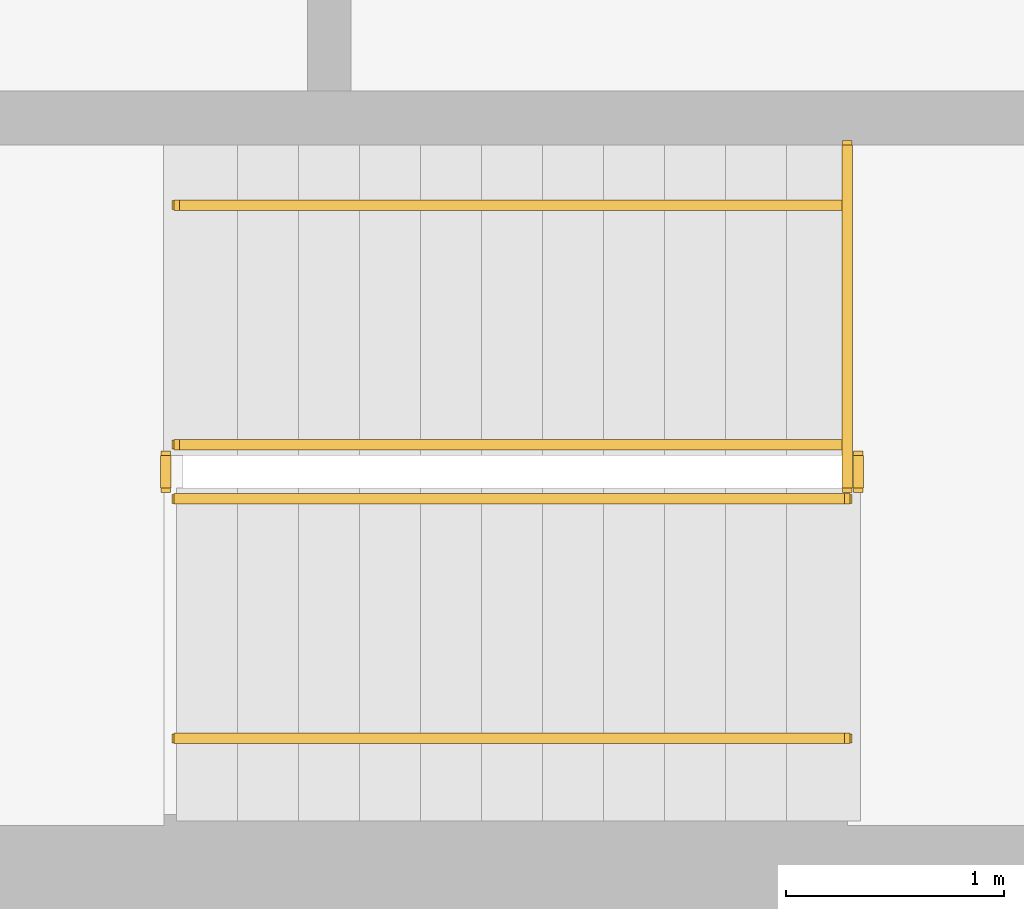
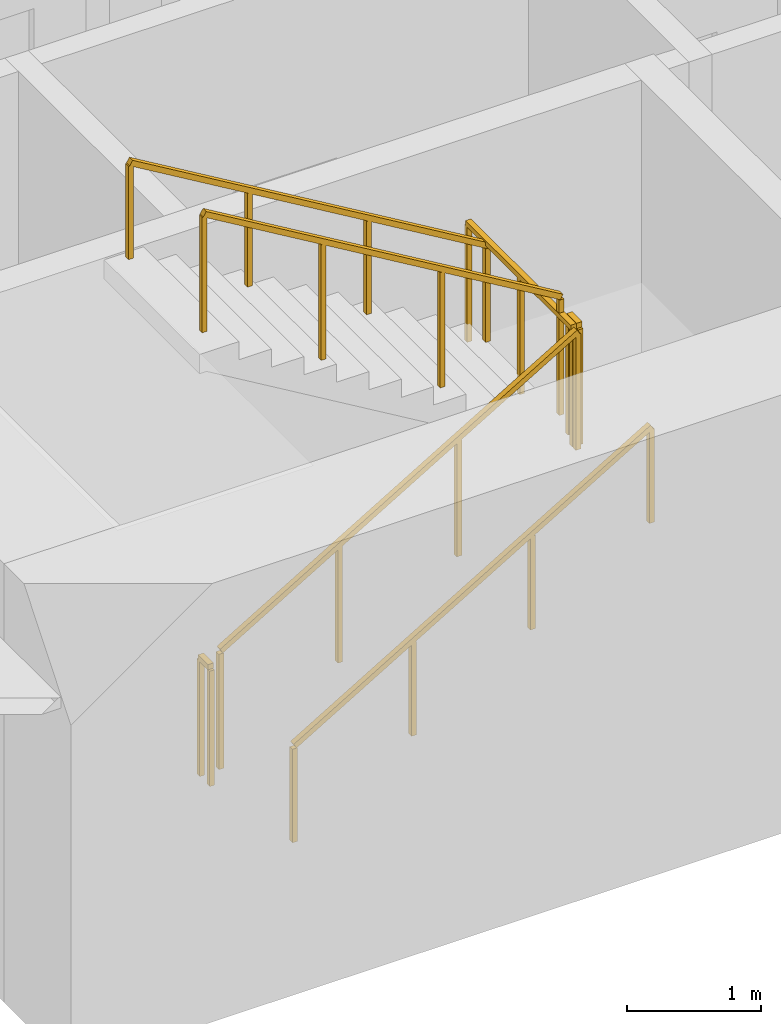
# One storey, part 13 of 16: 7 railings.
"""IFC4 building model written with IfcOpenShell, lengths in metres."""

from ifc_helpers import new_model, si_unit, direction, frame, origin, origin_2d, place, context, subcontext, project, spatial, rectangle, extrude, material, type_object, element, save


model = new_model("IFC4")

# Units and contexts
model_context = context("Model", 3, precision=1e-05, world=origin(), true_north=direction((0.0, 1.0)))
body_context = subcontext(model_context, "Body", "Model", "MODEL_VIEW")
ifc_project = project(units=[si_unit("LENGTHUNIT", "METRE"), si_unit("AREAUNIT", "SQUARE_METRE"), si_unit("VOLUMEUNIT", "CUBIC_METRE"), si_unit("PLANEANGLEUNIT", "RADIAN"), si_unit("MASSUNIT", "GRAM", prefix="KILO")], contexts=[model_context])

# Site, building, storey
site_placement = place(None, origin())
site = spatial("IfcSite", under=ifc_project, at=site_placement, CompositionType="ELEMENT")
building_placement = place(site_placement, origin())
building = spatial("IfcBuilding", under=site, at=building_placement, Name="Sennacour Bend Tower", CompositionType="ELEMENT")
storey_placement = place(building_placement, frame((0.0, 0.0, 167.0)))
storey = spatial("IfcBuildingStorey", under=building, at=storey_placement, Name="L38", CompositionType="ELEMENT", Elevation=167.0)

# Railings
ifc_material = material(Name="Stainless steel", Category="steel")
railing_type_1 = type_object("IfcRailingType", Name="RL-GUARD-1100", PredefinedType="GUARDRAIL", material=ifc_material)
railing_1_placement = place(storey_placement, frame((56.699951171875, 2.449951171875, 0.166748046875)))
element("IfcRailing", 1, at=railing_1_placement, inside=storey, type_object=railing_type_1, Name="L38 SA1 stair guard 1", PredefinedType="GUARDRAIL", context=body_context, shape_type="SweptSolid", body=[
    extrude(rectangle(XDim=0.048095703125, YDim=0.048095703125, at=origin_2d()), frame((0.0, 0.0, 1.076171875), z_axis=(0.859308565015, 0.0, 0.511457515432), x_axis=(0.0, 1.0, 0.0)), (0.0, 0.0, 1.0), 3.58447265625),
    extrude(rectangle(XDim=0.0419921875, YDim=0.0419921875, at=origin_2d()), origin(), (0.0, 0.0, 1.0), 1.052001953125),
    extrude(rectangle(XDim=0.0419921875, YDim=0.0419921875, at=origin_2d()), frame((1.026611328125, 0.0, 0.611083984375)), (0.0, 0.0, 1.0), 1.052001953125),
    extrude(rectangle(XDim=0.0419921875, YDim=0.0419921875, at=origin_2d()), frame((2.053466796875, 0.0, 1.22216796875)), (0.0, 0.0, 1.0), 1.052001953125),
    extrude(rectangle(XDim=0.0419921875, YDim=0.0419921875, at=origin_2d()), frame((3.080078125, 0.0, 1.833251953125)), (0.0, 0.0, 1.0), 1.052001953125),
])
railing_2_placement = place(storey_placement, frame((59.830078125, 2.5, 2.0)))
element("IfcRailing", 2, at=railing_2_placement, inside=storey, type_object=railing_type_1, Name="L38 SA1 stair guard 2", PredefinedType="GUARDRAIL", context=body_context, shape_type="SweptSolid", body=[
    extrude(rectangle(XDim=0.048095703125, YDim=0.048095703125, at=origin_2d()), frame((0.0, 0.0, 1.076171875), z_axis=(0.0, 1.0, 0.0), x_axis=(-1.0, 0.0, 0.0)), (0.0, 0.0, 1.0), 0.14990234375),
    extrude(rectangle(XDim=0.0419921875, YDim=0.0419921875, at=origin_2d()), origin(), (0.0, 0.0, 1.0), 1.052001953125),
    extrude(rectangle(XDim=0.0419921875, YDim=0.0419921875, at=origin_2d()), frame((0.0, 0.14990234375, 0.0)), (0.0, 0.0, 1.0), 1.052001953125),
])
railing_3_placement = place(storey_placement, frame((59.780029296875, 2.699951171875, 2.166748046875)))
element("IfcRailing", 3, at=railing_3_placement, inside=storey, type_object=railing_type_1, Name="L38 SA1 stair guard 4", PredefinedType="GUARDRAIL", context=body_context, shape_type="SweptSolid", body=[
    extrude(rectangle(XDim=0.048095703125, YDim=0.048095703125, at=origin_2d()), frame((0.0, 0.0, 1.076171875), z_axis=(-0.859308565015, 0.0, 0.511457515432), x_axis=(0.0, -1.0, 0.0)), (0.0, 0.0, 1.0), 3.58447265625),
    extrude(rectangle(XDim=0.0419921875, YDim=0.0419921875, at=origin_2d()), origin(), (0.0, 0.0, 1.0), 1.052001953125),
    extrude(rectangle(XDim=0.0419921875, YDim=0.0419921875, at=origin_2d()), frame((-1.026611328125, 0.0, 0.611083984375)), (0.0, 0.0, 1.0), 1.052001953125),
    extrude(rectangle(XDim=0.0419921875, YDim=0.0419921875, at=origin_2d()), frame((-2.053466796875, 0.0, 1.22216796875)), (0.0, 0.0, 1.0), 1.052001953125),
    extrude(rectangle(XDim=0.0419921875, YDim=0.0419921875, at=origin_2d()), frame((-3.080078125, 0.0, 1.833251953125)), (0.0, 0.0, 1.0), 1.052001953125),
])
railing_4_placement = place(storey_placement, frame((56.64990234375, 2.5, 0.0)))
element("IfcRailing", 4, at=railing_4_placement, inside=storey, type_object=railing_type_1, Name="L38 SA1 stair guard 5", PredefinedType="GUARDRAIL", context=body_context, shape_type="SweptSolid", body=[
    extrude(rectangle(XDim=0.048095703125, YDim=0.048095703125, at=origin_2d()), frame((0.0, 0.0, 1.076171875), z_axis=(0.0, 1.0, 0.0), x_axis=(-1.0, 0.0, 0.0)), (0.0, 0.0, 1.0), 0.14990234375),
    extrude(rectangle(XDim=0.0419921875, YDim=0.0419921875, at=origin_2d()), origin(), (0.0, 0.0, 1.0), 1.052001953125),
    extrude(rectangle(XDim=0.0419921875, YDim=0.0419921875, at=origin_2d()), frame((0.0, 0.14990234375, 0.0)), (0.0, 0.0, 1.0), 1.052001953125),
])
railing_5_placement = place(storey_placement, frame((59.780029296875, 2.5, 2.0)))
element("IfcRailing", 5, at=railing_5_placement, inside=storey, type_object=railing_type_1, Name="L38 SA1 landing edge guard 58", PredefinedType="GUARDRAIL", context=body_context, shape_type="SweptSolid", body=[
    extrude(rectangle(XDim=0.048095703125, YDim=0.048095703125, at=origin_2d()), frame((0.0, 0.0, 1.076171875), z_axis=(0.0, 1.0, 0.0), x_axis=(-1.0, 0.0, 0.0)), (0.0, 0.0, 1.0), 1.574951171875),
    extrude(rectangle(XDim=0.0419921875, YDim=0.0419921875, at=origin_2d()), origin(), (0.0, 0.0, 1.0), 1.052001953125),
    extrude(rectangle(XDim=0.0419921875, YDim=0.0419921875, at=origin_2d()), frame((0.0, 0.78759765625, 0.0)), (0.0, 0.0, 1.0), 1.052001953125),
    extrude(rectangle(XDim=0.0419921875, YDim=0.0419921875, at=origin_2d()), frame((0.0, 1.574951171875, 0.0)), (0.0, 0.0, 1.0), 1.052001953125),
])
railing_type_2 = type_object("IfcRailingType", Name="RL-HANDRAIL-900", PredefinedType="HANDRAIL", material=ifc_material)
railing_6_placement = place(storey_placement, frame((56.699951171875, 1.35009765625, 0.166748046875)))
element("IfcRailing", 6, at=railing_6_placement, inside=storey, type_object=railing_type_2, Name="L38 SA1 stair handrail 1", PredefinedType="HANDRAIL", context=body_context, shape_type="SweptSolid", body=[
    extrude(rectangle(XDim=0.048095703125, YDim=0.048095703125, at=origin_2d()), frame((0.0, 0.0, 0.8759765625), z_axis=(0.859308565015, 0.0, 0.511457515432), x_axis=(0.0, 1.0, 0.0)), (0.0, 0.0, 1.0), 3.58447265625),
    extrude(rectangle(XDim=0.0419921875, YDim=0.0419921875, at=origin_2d()), origin(), (0.0, 0.0, 1.0), 0.851806640625),
    extrude(rectangle(XDim=0.0419921875, YDim=0.0419921875, at=origin_2d()), frame((1.026611328125, 0.0, 0.611083984375)), (0.0, 0.0, 1.0), 0.851806640625),
    extrude(rectangle(XDim=0.0419921875, YDim=0.0419921875, at=origin_2d()), frame((2.053466796875, 0.0, 1.22216796875)), (0.0, 0.0, 1.0), 0.851806640625),
    extrude(rectangle(XDim=0.0419921875, YDim=0.0419921875, at=origin_2d()), frame((3.080078125, 0.0, 1.833251953125)), (0.0, 0.0, 1.0), 0.851806640625),
])
railing_7_placement = place(storey_placement, frame((59.780029296875, 3.800048828125, 2.166748046875)))
element("IfcRailing", 7, at=railing_7_placement, inside=storey, type_object=railing_type_2, Name="L38 SA1 stair handrail 2", PredefinedType="HANDRAIL", context=body_context, shape_type="SweptSolid", body=[
    extrude(rectangle(XDim=0.048095703125, YDim=0.048095703125, at=origin_2d()), frame((0.0, 0.0, 0.8759765625), z_axis=(-0.859308565015, 0.0, 0.511457515432), x_axis=(0.0, -1.0, 0.0)), (0.0, 0.0, 1.0), 3.58447265625),
    extrude(rectangle(XDim=0.0419921875, YDim=0.0419921875, at=origin_2d()), origin(), (0.0, 0.0, 1.0), 0.851806640625),
    extrude(rectangle(XDim=0.0419921875, YDim=0.0419921875, at=origin_2d()), frame((-1.026611328125, 0.0, 0.611083984375)), (0.0, 0.0, 1.0), 0.851806640625),
    extrude(rectangle(XDim=0.0419921875, YDim=0.0419921875, at=origin_2d()), frame((-2.053466796875, 0.0, 1.22216796875)), (0.0, 0.0, 1.0), 0.851806640625),
    extrude(rectangle(XDim=0.0419921875, YDim=0.0419921875, at=origin_2d()), frame((-3.080078125, 0.0, 1.833251953125)), (0.0, 0.0, 1.0), 0.851806640625),
])

save(model, "model.ifc")
